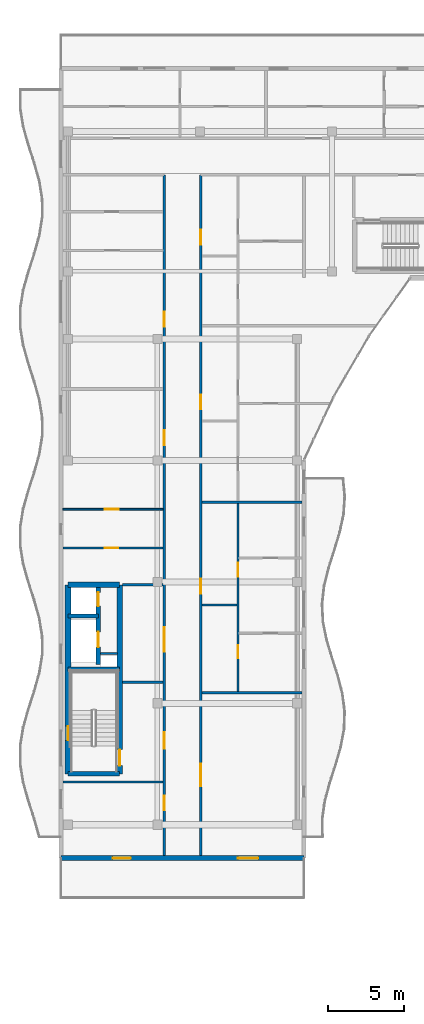
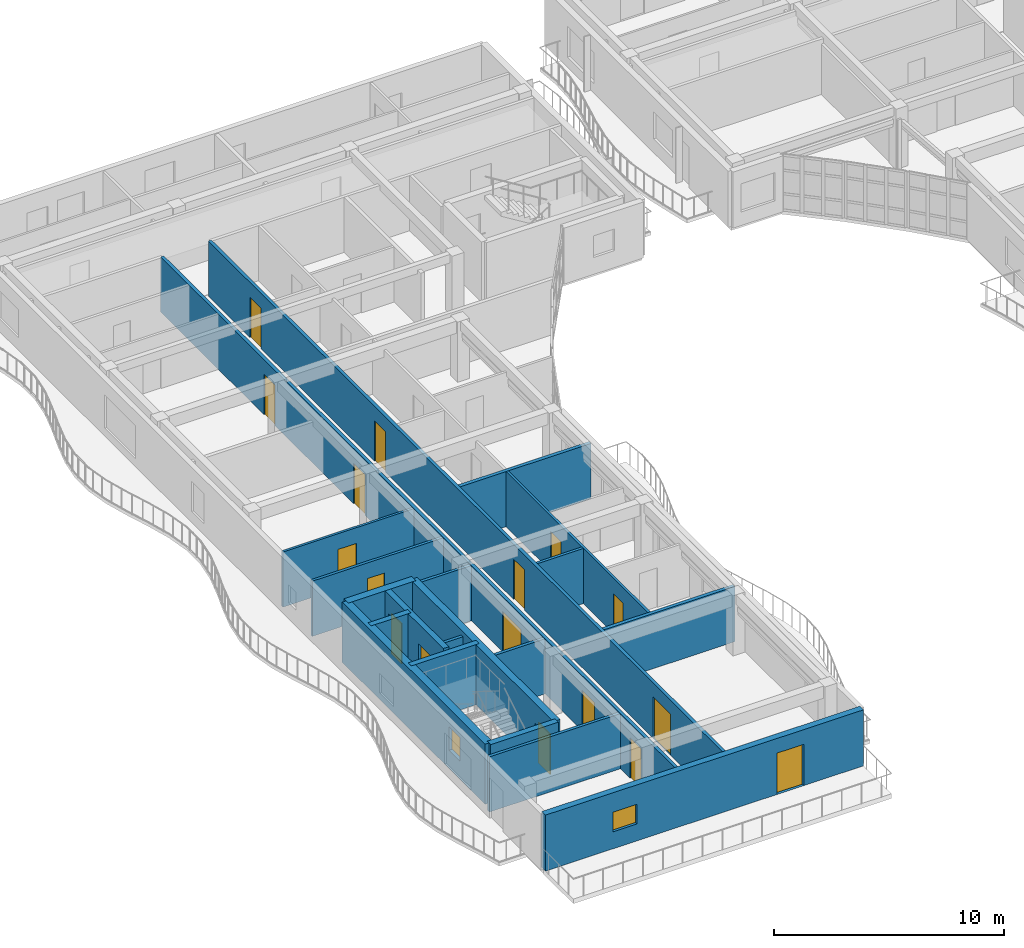
# One storey, part 29 of 71: 20 walls, 17 doors, 2 windows, 19 openings.
"""IFC4 building model written with IfcOpenShell, lengths in metres."""

from ifc_helpers import new_model, si_unit, direction, frame, frame_2d, origin, place, context, subcontext, project, spatial, rectangle, extrude, material, layer, layer_set, type_object, element, fill, save


model = new_model("IFC4")

# Units and contexts
model_context = context("Model", 3, precision=1e-05, world=origin(), true_north=direction((0.0, 1.0)))
body_context = subcontext(model_context, "Body", "Model", "MODEL_VIEW")
ifc_project = project(units=[si_unit("LENGTHUNIT", "METRE"), si_unit("AREAUNIT", "SQUARE_METRE"), si_unit("VOLUMEUNIT", "CUBIC_METRE"), si_unit("PLANEANGLEUNIT", "RADIAN"), si_unit("MASSUNIT", "GRAM", prefix="KILO")], contexts=[model_context])

# Site, building, storey
site_placement = place(None, origin())
site = spatial("IfcSite", under=ifc_project, at=site_placement, CompositionType="ELEMENT")
building_placement = place(site_placement, origin())
building = spatial("IfcBuilding", under=site, at=building_placement, Name="Keldmere Railside Commons", CompositionType="ELEMENT")
storey_placement = place(building_placement, frame((0.0, 0.0, 20.159912109375)))
storey = spatial("IfcBuildingStorey", under=building, at=storey_placement, Name="L06", CompositionType="ELEMENT", Elevation=20.159912109375)

# Walls
ifc_material_1 = material(Name="Acoustic Gypsum Board Partition", Category="gypsum")
ifc_layer_1 = layer(ifc_material_1, 0.179931640625, Name="Acoustic Demising Partition 180")
ifc_layer_set_1 = layer_set([ifc_layer_1], Name="Acoustic Gypsum Board Partition")
wall_type_1 = type_object("IfcWallType", Name="Acoustic Demising Partition 180", PredefinedType="PARTITIONING", material=ifc_layer_set_1)
for number, where, z_axis, x_axis, name in (
    (1, (17.280029296875, 72.699951171875, 0.0), (0.0, 0.0, 1.0), (1.0, 0.0, 0.0), "IW-1 IW-L06-0416"),
    (2, (17.280029296875, 85.239990234375, 0.0), (0.0, 0.0, 1.0), (1.0, 0.0, 0.0), "IW-1 IW-L06-0417"),
):
    element("IfcWall", number, at=place(storey_placement, frame(where, z_axis=z_axis, x_axis=x_axis)), inside=storey, type_object=wall_type_1, Name=name, PredefinedType="PARTITIONING", context=body_context, shape_type="SweptSolid", body=[
        extrude(rectangle(XDim=6.590087890625, YDim=0.179931640625, at=frame_2d((3.294921875, 0.0))), origin(), (0.0, 0.0, 1.0), 2.93505859375),
    ])

# Wall, openings, doors
ifc_layer_2 = layer(ifc_material_1, 0.1201171875, Name="Apartment Interior Partition 120")
ifc_layer_set_2 = layer_set([ifc_layer_2], Name="Acoustic Gypsum Board Partition")
wall_type_2 = type_object("IfcWallType", Name="Apartment Interior Partition 120", PredefinedType="PARTITIONING", material=ifc_layer_set_2)
wall_1_placement = place(storey_placement, frame((19.659912109375, 72.7900390625, 0.0), z_axis=(0.0, 0.0, 1.0), x_axis=(0.0, 1.0, 0.0)))
wall_1 = element("IfcWall", 3, at=wall_1_placement, inside=storey, type_object=wall_type_2, Name="IW-4 IW-L06-0419", PredefinedType="PARTITIONING", context=body_context, shape_type="SweptSolid", body=[
    extrude(rectangle(XDim=12.35986328125, YDim=0.1201171875, at=frame_2d((6.179931640625, 0.0))), origin(), (0.0, 0.0, 1.0), 2.93505859375),
])
opening_1_placement = place(wall_1_placement, frame((2.162109375, 0.0, 0.0)))
opening_1 = element("IfcOpeningElement", 4, at=opening_1_placement, cuts=wall_1, Name="Opening ID-04", PredefinedType="OPENING", context=body_context, shape_type="SweptSolid", body=[
    extrude(rectangle(XDim=0.860107421875, YDim=2.10009765625, at=frame_2d((0.43017578125, 1.050048828125))), frame((0.0, 0.070068359375, 0.0), z_axis=(0.0, -1.0, 0.0), x_axis=(1.0, 0.0, 0.0)), (0.0, 0.0, 1.0), 0.14013671875),
])
opening_2_placement = place(wall_1_placement, frame((7.5576171875, 0.0, 0.0)))
opening_2 = element("IfcOpeningElement", 5, at=opening_2_placement, cuts=wall_1, Name="Opening ID-03", PredefinedType="OPENING", context=body_context, shape_type="SweptSolid", body=[
    extrude(rectangle(XDim=0.919921875, YDim=2.10009765625, at=frame_2d((0.4599609375, 1.050048828125))), frame((0.0, 0.070068359375, 0.0), z_axis=(0.0, -1.0, 0.0), x_axis=(1.0, 0.0, 0.0)), (0.0, 0.0, 1.0), 0.14013671875),
])
ifc_material_2 = material(Name="Engineered Oak Timber", Category="wood")
door_type_1 = type_object("IfcDoorType", Name="Apartment Bathroom Door 860x2100", OperationType="NOTDEFINED", PredefinedType="DOOR", material=ifc_material_2)
door_1_placement = place(opening_1_placement, origin())
door_1 = element("IfcDoor", 6, at=door_1_placement, inside=storey, type_object=door_type_1, Name="ID-04 IDR-L06-0317", OperationType="SINGLE_SWING_LEFT", OverallHeight=2.10009765625, OverallWidth=0.860107421875, PredefinedType="DOOR", context=body_context, shape_type="SweptSolid", body=[
    extrude(rectangle(XDim=0.860107421875, YDim=2.10009765625, at=frame_2d((0.43017578125, 1.050048828125))), frame((0.0, 0.02490234375, 0.0), z_axis=(0.0, -1.0, 0.0), x_axis=(1.0, 0.0, 0.0)), (0.0, 0.0, 1.0), 0.050048828125),
])
fill(opening_1, door_1)
door_type_2 = type_object("IfcDoorType", Name="Kitchen Pocket-Frame Swing Door 920x2100", OperationType="NOTDEFINED", PredefinedType="DOOR", material=ifc_material_2)
door_2_placement = place(opening_2_placement, origin())
door_2 = element("IfcDoor", 7, at=door_2_placement, inside=storey, type_object=door_type_2, Name="ID-03 IDR-L06-0318", OperationType="SINGLE_SWING_RIGHT", OverallHeight=2.10009765625, OverallWidth=0.919921875, PredefinedType="DOOR", context=body_context, shape_type="SweptSolid", body=[
    extrude(rectangle(XDim=0.919921875, YDim=2.10009765625, at=frame_2d((0.4599609375, 1.050048828125))), frame((0.0, 0.02490234375, 0.0), z_axis=(0.0, -1.0, 0.0), x_axis=(1.0, 0.0, 0.0)), (0.0, 0.0, 1.0), 0.050048828125),
])
fill(opening_2, door_2)

# Wall, opening, door
wall_2_placement = place(storey_placement, frame((8.1298828125, 84.780029296875, 0.0), z_axis=(0.0, 0.0, 1.0), x_axis=(1.0, 0.0, 0.0)))
wall_2 = element("IfcWall", 8, at=wall_2_placement, inside=storey, type_object=wall_type_2, Name="IW-4 IW-L06-0438", PredefinedType="PARTITIONING", context=body_context, shape_type="SweptSolid", body=[
    extrude(rectangle(XDim=6.590087890625, YDim=0.1201171875, at=frame_2d((3.294921875, 0.0))), origin(), (0.0, 0.0, 1.0), 2.93505859375),
])
opening_3_placement = place(wall_2_placement, frame((2.767822265625, 0.0, 0.0)))
opening_3 = element("IfcOpeningElement", 9, at=opening_3_placement, cuts=wall_2, Name="Opening ID-03", PredefinedType="OPENING", context=body_context, shape_type="SweptSolid", body=[
    extrude(rectangle(XDim=0.919921875, YDim=2.10009765625, at=frame_2d((0.4599609375, 1.050048828125))), frame((0.0, 0.070068359375, 0.0), z_axis=(0.0, -1.0, 0.0), x_axis=(1.0, 0.0, 0.0)), (0.0, 0.0, 1.0), 0.14013671875),
])
door_3_placement = place(opening_3_placement, origin())
door_3 = element("IfcDoor", 10, at=door_3_placement, inside=storey, type_object=door_type_2, Name="ID-03 IDR-L06-0341", OperationType="SINGLE_SWING_LEFT", OverallHeight=2.10009765625, OverallWidth=0.919921875, PredefinedType="DOOR", context=body_context, shape_type="SweptSolid", body=[
    extrude(rectangle(XDim=0.919921875, YDim=2.10009765625, at=frame_2d((0.4599609375, 1.050048828125))), frame((0.0, 0.02490234375, 0.0), z_axis=(0.0, -1.0, 0.0), x_axis=(1.0, 0.0, 0.0)), (0.0, 0.0, 1.0), 0.050048828125),
])
fill(opening_3, door_3)

# Walls
ifc_material_3 = material(Name="Concrete H-35 (C35/45)", Category="concrete")
ifc_layer_3 = layer(ifc_material_3, 0.280029296875, Name="Core Shear Wall 280")
ifc_layer_set_3 = layer_set([ifc_layer_3], Name="Concrete H-35 (C35/45)")
wall_type_3 = type_object("IfcWallType", Name="Core Shear Wall 280", PredefinedType="SHEAR", material=ifc_layer_set_3)
wall_3_placement = place(storey_placement, frame((8.4599609375, 74.239990234375, 0.0), z_axis=(0.0, 0.0, 1.0), x_axis=(1.0, 0.0, 0.0)))
element("IfcWall", 11, at=wall_3_placement, inside=storey, type_object=wall_type_3, Name="CSW-2 COREDM-L06-0103", PredefinedType="SHEAR", context=body_context, shape_type="SweptSolid", body=[
    extrude(rectangle(XDim=3.41015625, YDim=0.280029296875, at=frame_2d((1.705078125, 0.0))), origin(), (0.0, 0.0, 1.0), 3.2001953125),
])
wall_4_placement = place(storey_placement, frame((8.4599609375, 77.75, 0.0), z_axis=(0.0, 0.0, 1.0), x_axis=(1.0, 0.0, 0.0)))
element("IfcWall", 12, at=wall_4_placement, inside=storey, type_object=wall_type_3, Name="CSW-2 COREDL-L06-0104", PredefinedType="SHEAR", context=body_context, shape_type="SweptSolid", body=[
    extrude(rectangle(XDim=2.0, YDim=0.280029296875, at=frame_2d((1.0, 0.0))), origin(), (0.0, 0.0, 1.0), 3.2001953125),
])

# Wall, openings, doors
wall_5_placement = place(storey_placement, frame((10.4599609375, 74.550048828125, 0.0), z_axis=(0.0, 0.0, 1.0), x_axis=(0.0, 1.0, 0.0)))
wall_5 = element("IfcWall", 13, at=wall_5_placement, inside=storey, type_object=wall_type_3, Name="CSW-2 LSHD-L06-0105", PredefinedType="SHEAR", context=body_context, shape_type="SweptSolid", body=[
    extrude(rectangle(XDim=5.25, YDim=0.280029296875, at=frame_2d((2.625, 0.0))), origin(), (0.0, 0.0, 1.0), 3.2001953125),
])
opening_4_placement = place(wall_5_placement, frame((1.14990234375, 0.0, 0.0)))
opening_4 = element("IfcOpeningElement", 14, at=opening_4_placement, cuts=wall_5, Name="Opening LD-1", PredefinedType="OPENING", context=body_context, shape_type="SweptSolid", body=[
    extrude(rectangle(XDim=1.0, YDim=2.14990234375, at=frame_2d((0.5, 1.074951171875))), frame((0.0, 0.14990234375, 0.0), z_axis=(0.0, -1.0, 0.0), x_axis=(1.0, 0.0, 0.0)), (0.0, 0.0, 1.0), 0.300048828125),
])
opening_5_placement = place(wall_5_placement, frame((3.85009765625, 0.0, 0.0)))
opening_5 = element("IfcOpeningElement", 15, at=opening_5_placement, cuts=wall_5, Name="Opening LD-2", PredefinedType="OPENING", context=body_context, shape_type="SweptSolid", body=[
    extrude(rectangle(XDim=0.89990234375, YDim=2.14990234375, at=frame_2d((0.449951171875, 1.074951171875))), frame((0.0, 0.14990234375, 0.0), z_axis=(0.0, -1.0, 0.0), x_axis=(1.0, 0.0, 0.0)), (0.0, 0.0, 1.0), 0.300048828125),
])
ifc_material_4 = material(Name="Steel F-24 (S235)", Category="steel")
door_type_3 = type_object("IfcDoorType", Name="Firefighting Stretcher Lift Landing Door 1000x2150", OperationType="SLIDING_TO_LEFT", PredefinedType="DOOR", material=ifc_material_4)
door_4_placement = place(opening_4_placement, origin())
door_4 = element("IfcDoor", 16, at=door_4_placement, inside=storey, type_object=door_type_3, Name="LD-1 D L06", OperationType="SLIDING_TO_LEFT", OverallHeight=2.14990234375, OverallWidth=1.0, PredefinedType="DOOR", context=body_context, shape_type="SweptSolid", body=[
    extrude(rectangle(XDim=1.0, YDim=2.14990234375, at=frame_2d((0.5, 1.074951171875))), frame((0.0, 0.02490234375, 0.0), z_axis=(0.0, -1.0, 0.0), x_axis=(1.0, 0.0, 0.0)), (0.0, 0.0, 1.0), 0.050048828125),
])
fill(opening_4, door_4)
door_type_4 = type_object("IfcDoorType", Name="Passenger Lift Sliding Landing Door 900x2150", OperationType="SLIDING_TO_RIGHT", PredefinedType="DOOR", material=ifc_material_4)
door_5_placement = place(opening_5_placement, origin())
door_5 = element("IfcDoor", 17, at=door_5_placement, inside=storey, type_object=door_type_4, Name="LD-2 D L06", OperationType="SLIDING_TO_RIGHT", OverallHeight=2.14990234375, OverallWidth=0.89990234375, PredefinedType="DOOR", context=body_context, shape_type="SweptSolid", body=[
    extrude(rectangle(XDim=0.89990234375, YDim=2.14990234375, at=frame_2d((0.449951171875, 1.074951171875))), frame((0.0, 0.02490234375, 0.0), z_axis=(0.0, -1.0, 0.0), x_axis=(1.0, 0.0, 0.0)), (0.0, 0.0, 1.0), 0.050048828125),
])
fill(opening_5, door_5)

# Wall, opening, window
ifc_material_5 = material(Name="Concrete H-40 (C40/50)", Category="concrete")
ifc_layer_4 = layer(ifc_material_5, 0.3798828125, Name="Core Shear Wall 380")
ifc_layer_set_4 = layer_set([ifc_layer_4], Name="Concrete H-40 (C40/50)")
wall_type_4 = type_object("IfcWallType", Name="Core Shear Wall 380", PredefinedType="SHEAR", material=ifc_layer_set_4)
wall_6_placement = place(storey_placement, frame((8.4599609375, 67.35009765625, 0.0), z_axis=(0.0, 0.0, 1.0), x_axis=(0.0, 1.0, 0.0)))
wall_6 = element("IfcWall", 18, at=wall_6_placement, inside=storey, type_object=wall_type_4, Name="CW-CORE COREDW-L06-0099", PredefinedType="SHEAR", context=body_context, shape_type="SweptSolid", body=[
    extrude(rectangle(XDim=12.449951171875, YDim=0.3798828125, at=frame_2d((6.22509765625, 0.0))), origin(), (0.0, 0.0, 1.0), 3.2001953125),
])
opening_6_placement = place(wall_6_placement, frame((2.199951171875, 0.0, 0.969970703125)))
opening_6 = element("IfcOpeningElement", 19, at=opening_6_placement, cuts=wall_6, Name="Opening WN-17", PredefinedType="OPENING", context=body_context, shape_type="SweptSolid", body=[
    extrude(rectangle(XDim=0.949951171875, YDim=1.25, at=frame_2d((0.47509765625, 0.625))), frame((0.0, 0.199951171875, 0.0), z_axis=(0.0, -1.0, 0.0), x_axis=(1.0, 0.0, 0.0)), (0.0, 0.0, 1.0), 0.39990234375),
])
ifc_material_6 = material(Name="Low-E Insulated Double Glazing", Category="glass")
window_type_1 = type_object("IfcWindowType", Name="Stair Core Natural Smoke-Vent Window 950x1250", PartitioningType="SINGLE_PANEL", PredefinedType="WINDOW", material=ifc_material_6)
window_1_placement = place(opening_6_placement, origin())
window_1 = element("IfcWindow", 20, at=window_1_placement, inside=storey, type_object=window_type_1, Name="WN-17 WIN-L06-0013", OverallHeight=1.25, OverallWidth=0.949951171875, PartitioningType="SINGLE_PANEL", PredefinedType="WINDOW", context=body_context, shape_type="SweptSolid", body=[
    extrude(rectangle(XDim=0.949951171875, YDim=1.25, at=frame_2d((0.47509765625, 0.625))), frame((0.0, 0.030029296875, 0.0), z_axis=(0.0, -1.0, 0.0), x_axis=(1.0, 0.0, 0.0)), (0.0, 0.0, 1.0), 0.06005859375),
])
fill(opening_6, window_1)

# Wall
wall_7_placement = place(storey_placement, frame((8.4599609375, 79.800048828125, 0.0), z_axis=(0.0, 0.0, 1.0), x_axis=(1.0, 0.0, 0.0)))
element("IfcWall", 21, at=wall_7_placement, inside=storey, type_object=wall_type_4, Name="CW-CORE COREDN-L06-0100", PredefinedType="SHEAR", context=body_context, shape_type="SweptSolid", body=[
    extrude(rectangle(XDim=3.41015625, YDim=0.3798828125, at=frame_2d((1.705078125, 0.0))), origin(), (0.0, 0.0, 1.0), 3.2001953125),
])

# Wall, openings, doors
ifc_layer_5 = layer(ifc_material_1, 0.159912109375, Name="Corridor Fire Partition 160")
ifc_layer_set_5 = layer_set([ifc_layer_5], Name="Acoustic Gypsum Board Partition")
wall_type_5 = type_object("IfcWallType", Name="Corridor Fire Partition 160", PredefinedType="PARTITIONING", material=ifc_layer_set_5)
wall_8_placement = place(storey_placement, frame((14.800048828125, 61.9599609375, 0.0), z_axis=(0.0, 0.0, 1.0), x_axis=(0.0, 1.0, 0.0)))
wall_8 = element("IfcWall", 22, at=wall_8_placement, inside=storey, type_object=wall_type_5, Name="IW-2 IW-L06-0408", PredefinedType="PARTITIONING", context=body_context, shape_type="SweptSolid", body=[
    extrude(rectangle(XDim=44.840087890625, YDim=0.159912109375, at=frame_2d((22.419921875, 0.0))), origin(), (0.0, 0.0, 1.0), 2.93505859375),
])
opening_7_placement = place(wall_8_placement, frame((7.0400390625, 0.0, 0.0)))
opening_7 = element("IfcOpeningElement", 23, at=opening_7_placement, cuts=wall_8, Name="Opening FD-2", PredefinedType="OPENING", context=body_context, shape_type="SweptSolid", body=[
    extrude(rectangle(XDim=1.10009765625, YDim=2.14990234375, at=frame_2d((0.550048828125, 1.074951171875))), frame((0.0, 0.08984375, 0.0), z_axis=(0.0, -1.0, 0.0), x_axis=(1.0, 0.0, 0.0)), (0.0, 0.0, 1.0), 0.179931640625),
])
opening_8_placement = place(wall_8_placement, frame((13.43994140625, 0.0, 0.0)))
opening_8 = element("IfcOpeningElement", 24, at=opening_8_placement, cuts=wall_8, Name="Opening FD-4", PredefinedType="OPENING", context=body_context, shape_type="SweptSolid", body=[
    extrude(rectangle(XDim=1.60009765625, YDim=2.14990234375, at=frame_2d((0.800048828125, 1.074951171875))), frame((0.0, 0.08984375, 0.0), z_axis=(0.0, -1.0, 0.0), x_axis=(1.0, 0.0, 0.0)), (0.0, 0.0, 1.0), 0.179931640625),
])
opening_9_placement = place(wall_8_placement, frame((3.0, 0.0, 0.0)))
opening_9 = element("IfcOpeningElement", 25, at=opening_9_placement, cuts=wall_8, Name="Opening ID-08", PredefinedType="OPENING", context=body_context, shape_type="SweptSolid", body=[
    extrude(rectangle(XDim=0.9599609375, YDim=2.14990234375, at=frame_2d((0.47998046875, 1.074951171875))), frame((0.0, 0.08984375, 0.0), z_axis=(0.0, -1.0, 0.0), x_axis=(1.0, 0.0, 0.0)), (0.0, 0.0, 1.0), 0.179931640625),
])
opening_10_placement = place(wall_8_placement, frame((27.044921875, 0.0, 0.0)))
opening_10 = element("IfcOpeningElement", 26, at=opening_10_placement, cuts=wall_8, Name="Opening FD-7", PredefinedType="OPENING", context=body_context, shape_type="SweptSolid", body=[
    extrude(rectangle(XDim=0.97998046875, YDim=2.14990234375, at=frame_2d((0.489990234375, 1.074951171875))), frame((0.0, 0.08984375, 0.0), z_axis=(0.0, -1.0, 0.0), x_axis=(1.0, 0.0, 0.0)), (0.0, 0.0, 1.0), 0.179931640625),
])
opening_11_placement = place(wall_8_placement, frame((34.85498046875, 0.0, 0.0)))
opening_11 = element("IfcOpeningElement", 27, at=opening_11_placement, cuts=wall_8, Name="Opening FD-7", PredefinedType="OPENING", context=body_context, shape_type="SweptSolid", body=[
    extrude(rectangle(XDim=0.97998046875, YDim=2.14990234375, at=frame_2d((0.489990234375, 1.074951171875))), frame((0.0, 0.08984375, 0.0), z_axis=(0.0, -1.0, 0.0), x_axis=(1.0, 0.0, 0.0)), (0.0, 0.0, 1.0), 0.179931640625),
])
door_type_5 = type_object("IfcDoorType", Name="Apartment Entrance Acoustic Fire Door 980x2150", OperationType="NOTDEFINED", PredefinedType="DOOR", material=ifc_material_2)
door_6_placement = place(opening_10_placement, origin())
door_6 = element("IfcDoor", 28, at=door_6_placement, inside=storey, type_object=door_type_5, Name="FD-7 IDR-L06-0342", OperationType="SINGLE_SWING_RIGHT", OverallHeight=2.14990234375, OverallWidth=0.97998046875, PredefinedType="DOOR", context=body_context, shape_type="SweptSolid", body=[
    extrude(rectangle(XDim=0.97998046875, YDim=2.14990234375, at=frame_2d((0.489990234375, 1.074951171875))), frame((0.0, 0.02490234375, 0.0), z_axis=(0.0, -1.0, 0.0), x_axis=(1.0, 0.0, 0.0)), (0.0, 0.0, 1.0), 0.050048828125),
])
fill(opening_10, door_6)
door_7_placement = place(opening_11_placement, origin())
door_7 = element("IfcDoor", 29, at=door_7_placement, inside=storey, type_object=door_type_5, Name="FD-7 IDR-L06-0345", OperationType="SINGLE_SWING_LEFT", OverallHeight=2.14990234375, OverallWidth=0.97998046875, PredefinedType="DOOR", context=body_context, shape_type="SweptSolid", body=[
    extrude(rectangle(XDim=0.97998046875, YDim=2.14990234375, at=frame_2d((0.489990234375, 1.074951171875))), frame((0.0, 0.02490234375, 0.0), z_axis=(0.0, -1.0, 0.0), x_axis=(1.0, 0.0, 0.0)), (0.0, 0.0, 1.0), 0.050048828125),
])
fill(opening_11, door_7)
door_type_6 = type_object("IfcDoorType", Name="Corridor Cross-Compartment Double Fire Door 1600x2150", OperationType="DOUBLE_DOOR_SINGLE_SWING", PredefinedType="DOOR", material=ifc_material_4)
door_8_placement = place(opening_8_placement, origin())
door_8 = element("IfcDoor", 30, at=door_8_placement, inside=storey, type_object=door_type_6, Name="FD-4 IDR-L06-0315", OperationType="DOUBLE_DOOR_SINGLE_SWING", OverallHeight=2.14990234375, OverallWidth=1.60009765625, PredefinedType="DOOR", context=body_context, shape_type="SweptSolid", body=[
    extrude(rectangle(XDim=1.60009765625, YDim=2.14990234375, at=frame_2d((0.800048828125, 1.074951171875))), frame((0.0, 0.02490234375, 0.0), z_axis=(0.0, -1.0, 0.0), x_axis=(1.0, 0.0, 0.0)), (0.0, 0.0, 1.0), 0.050048828125),
])
fill(opening_8, door_8)
door_type_7 = type_object("IfcDoorType", Name="Firefighting Lobby Fire Door 1100x2150", OperationType="NOTDEFINED", PredefinedType="DOOR", material=ifc_material_4)
door_9_placement = place(opening_7_placement, origin())
door_9 = element("IfcDoor", 31, at=door_9_placement, inside=storey, type_object=door_type_7, Name="FD-2 IDR-L06-0314", OperationType="SINGLE_SWING_RIGHT", OverallHeight=2.14990234375, OverallWidth=1.10009765625, PredefinedType="DOOR", context=body_context, shape_type="SweptSolid", body=[
    extrude(rectangle(XDim=1.10009765625, YDim=2.14990234375, at=frame_2d((0.550048828125, 1.074951171875))), frame((0.0, 0.02490234375, 0.0), z_axis=(0.0, -1.0, 0.0), x_axis=(1.0, 0.0, 0.0)), (0.0, 0.0, 1.0), 0.050048828125),
])
fill(opening_7, door_9)
door_type_8 = type_object("IfcDoorType", Name="Study & Meeting Room Door 960x2150", OperationType="NOTDEFINED", PredefinedType="DOOR", material=ifc_material_2)
door_10_placement = place(opening_9_placement, origin())
door_10 = element("IfcDoor", 32, at=door_10_placement, inside=storey, type_object=door_type_8, Name="ID-08 IDR-L06-0339", OperationType="SINGLE_SWING_LEFT", OverallHeight=2.14990234375, OverallWidth=0.9599609375, PredefinedType="DOOR", context=body_context, shape_type="SweptSolid", body=[
    extrude(rectangle(XDim=0.9599609375, YDim=2.14990234375, at=frame_2d((0.47998046875, 1.074951171875))), frame((0.0, 0.02490234375, 0.0), z_axis=(0.0, -1.0, 0.0), x_axis=(1.0, 0.0, 0.0)), (0.0, 0.0, 1.0), 0.050048828125),
])
fill(opening_9, door_10)

wall_9_placement = place(storey_placement, frame((17.199951171875, 61.9599609375, 0.0), z_axis=(0.0, 0.0, 1.0), x_axis=(0.0, 1.0, 0.0)))
wall_9 = element("IfcWall", 33, at=wall_9_placement, inside=storey, type_object=wall_type_5, Name="IW-2 IW-L06-0409", PredefinedType="PARTITIONING", context=body_context, shape_type="SweptSolid", body=[
    extrude(rectangle(XDim=44.840087890625, YDim=0.159912109375, at=frame_2d((22.419921875, 0.0))), origin(), (0.0, 0.0, 1.0), 2.93505859375),
])
opening_12_placement = place(wall_9_placement, frame((4.574951171875, 0.0, 0.0)))
opening_12 = element("IfcOpeningElement", 34, at=opening_12_placement, cuts=wall_9, Name="Opening ID-07", PredefinedType="OPENING", context=body_context, shape_type="SweptSolid", body=[
    extrude(rectangle(XDim=1.5, YDim=2.199951171875, at=frame_2d((0.75, 1.10009765625))), frame((0.0, 0.08984375, 0.0), z_axis=(0.0, -1.0, 0.0), x_axis=(1.0, 0.0, 0.0)), (0.0, 0.0, 1.0), 0.179931640625),
])
opening_13_placement = place(wall_9_placement, frame((17.27001953125, 0.0, 0.0)))
opening_13 = element("IfcOpeningElement", 35, at=opening_13_placement, cuts=wall_9, Name="Opening FD-7", PredefinedType="OPENING", context=body_context, shape_type="SweptSolid", body=[
    extrude(rectangle(XDim=0.97998046875, YDim=2.14990234375, at=frame_2d((0.489990234375, 1.074951171875))), frame((0.0, 0.08984375, 0.0), z_axis=(0.0, -1.0, 0.0), x_axis=(1.0, 0.0, 0.0)), (0.0, 0.0, 1.0), 0.179931640625),
])
opening_14_placement = place(wall_9_placement, frame((29.389892578125, 0.0, 0.0)))
opening_14 = element("IfcOpeningElement", 36, at=opening_14_placement, cuts=wall_9, Name="Opening FD-7", PredefinedType="OPENING", context=body_context, shape_type="SweptSolid", body=[
    extrude(rectangle(XDim=0.97998046875, YDim=2.14990234375, at=frame_2d((0.489990234375, 1.074951171875))), frame((0.0, 0.08984375, 0.0), z_axis=(0.0, -1.0, 0.0), x_axis=(1.0, 0.0, 0.0)), (0.0, 0.0, 1.0), 0.179931640625),
])
opening_15_placement = place(wall_9_placement, frame((40.239990234375, 0.0, 0.0)))
opening_15 = element("IfcOpeningElement", 37, at=opening_15_placement, cuts=wall_9, Name="Opening FD-7", PredefinedType="OPENING", context=body_context, shape_type="SweptSolid", body=[
    extrude(rectangle(XDim=0.97998046875, YDim=2.14990234375, at=frame_2d((0.489990234375, 1.074951171875))), frame((0.0, 0.08984375, 0.0), z_axis=(0.0, -1.0, 0.0), x_axis=(1.0, 0.0, 0.0)), (0.0, 0.0, 1.0), 0.179931640625),
])
door_11_placement = place(opening_13_placement, origin())
door_11 = element("IfcDoor", 38, at=door_11_placement, inside=storey, type_object=door_type_5, Name="FD-7 IDR-L06-0319", OperationType="SINGLE_SWING_LEFT", OverallHeight=2.14990234375, OverallWidth=0.97998046875, PredefinedType="DOOR", context=body_context, shape_type="SweptSolid", body=[
    extrude(rectangle(XDim=0.97998046875, YDim=2.14990234375, at=frame_2d((0.489990234375, 1.074951171875))), frame((0.0, 0.02490234375, 0.0), z_axis=(0.0, -1.0, 0.0), x_axis=(1.0, 0.0, 0.0)), (0.0, 0.0, 1.0), 0.050048828125),
])
fill(opening_13, door_11)
door_12_placement = place(opening_14_placement, origin())
door_12 = element("IfcDoor", 39, at=door_12_placement, inside=storey, type_object=door_type_5, Name="FD-7 IDR-L06-0324", OperationType="SINGLE_SWING_RIGHT", OverallHeight=2.14990234375, OverallWidth=0.97998046875, PredefinedType="DOOR", context=body_context, shape_type="SweptSolid", body=[
    extrude(rectangle(XDim=0.97998046875, YDim=2.14990234375, at=frame_2d((0.489990234375, 1.074951171875))), frame((0.0, 0.02490234375, 0.0), z_axis=(0.0, -1.0, 0.0), x_axis=(1.0, 0.0, 0.0)), (0.0, 0.0, 1.0), 0.050048828125),
])
fill(opening_14, door_12)
door_13_placement = place(opening_15_placement, origin())
door_13 = element("IfcDoor", 40, at=door_13_placement, inside=storey, type_object=door_type_5, Name="FD-7 IDR-L06-0328", OperationType="SINGLE_SWING_RIGHT", OverallHeight=2.14990234375, OverallWidth=0.97998046875, PredefinedType="DOOR", context=body_context, shape_type="SweptSolid", body=[
    extrude(rectangle(XDim=0.97998046875, YDim=2.14990234375, at=frame_2d((0.489990234375, 1.074951171875))), frame((0.0, 0.02490234375, 0.0), z_axis=(0.0, -1.0, 0.0), x_axis=(1.0, 0.0, 0.0)), (0.0, 0.0, 1.0), 0.050048828125),
])
fill(opening_15, door_13)
door_type_9 = type_object("IfcDoorType", Name="Resident Lounge Double Door 1500x2200", OperationType="DOUBLE_DOOR_SINGLE_SWING", PredefinedType="DOOR", material=ifc_material_2)
door_14_placement = place(opening_12_placement, origin())
door_14 = element("IfcDoor", 41, at=door_14_placement, inside=storey, type_object=door_type_9, Name="ID-07 IDR-L06-0316", OperationType="DOUBLE_DOOR_SINGLE_SWING", OverallHeight=2.199951171875, OverallWidth=1.5, PredefinedType="DOOR", context=body_context, shape_type="SweptSolid", body=[
    extrude(rectangle(XDim=1.5, YDim=2.199951171875, at=frame_2d((0.75, 1.10009765625))), frame((0.0, 0.02490234375, 0.0), z_axis=(0.0, -1.0, 0.0), x_axis=(1.0, 0.0, 0.0)), (0.0, 0.0, 1.0), 0.050048828125),
])
fill(opening_12, door_14)

# Wall, openings, window, door
ifc_layer_6 = layer(ifc_material_3, 0.320068359375, Name="Exterior Shear Wall 320")
ifc_layer_set_6 = layer_set([ifc_layer_6], Name="Concrete H-35 (C35/45)")
wall_type_6 = type_object("IfcWallType", Name="Exterior Shear Wall 320", PredefinedType="SHEAR", material=ifc_layer_set_6)
wall_10_placement = place(storey_placement, frame((24.0, 61.800048828125, 0.0), z_axis=(0.0, 0.0, 1.0), x_axis=(-1.0, 0.0, 0.0)))
wall_10 = element("IfcWall", 42, at=wall_10_placement, inside=storey, type_object=wall_type_6, Name="ESW-2 EXTD-L06-0164", PredefinedType="SHEAR", context=body_context, shape_type="SweptSolid", body=[
    extrude(rectangle(XDim=16.0, YDim=0.320068359375, at=frame_2d((8.0, 0.0))), origin(), (0.0, 0.0, 1.0), 2.97998046875),
])
opening_16_placement = place(wall_10_placement, frame((3.0, 0.0, 0.0)))
opening_16 = element("IfcOpeningElement", 43, at=opening_16_placement, cuts=wall_10, Name="Opening BD-03", PredefinedType="OPENING", context=body_context, shape_type="SweptSolid", body=[
    extrude(rectangle(XDim=1.35009765625, YDim=2.199951171875, at=frame_2d((0.675048828125, 1.10009765625))), frame((0.0, 0.169921875, 0.0), z_axis=(0.0, -1.0, 0.0), x_axis=(1.0, 0.0, 0.0)), (0.0, 0.0, 1.0), 0.340087890625),
])
opening_17_placement = place(wall_10_placement, frame((11.39990234375, 0.0, 0.89990234375)))
opening_17 = element("IfcOpeningElement", 44, at=opening_17_placement, cuts=wall_10, Name="Opening WN-14", PredefinedType="OPENING", context=body_context, shape_type="SweptSolid", body=[
    extrude(rectangle(XDim=1.199951171875, YDim=1.050048828125, at=frame_2d((0.60009765625, 0.52490234375))), frame((0.0, 0.169921875, 0.0), z_axis=(0.0, -1.0, 0.0), x_axis=(1.0, 0.0, 0.0)), (0.0, 0.0, 1.0), 0.340087890625),
])
window_type_2 = type_object("IfcWindowType", Name="Apartment Kitchen Ribbon Window 1200x1050", PartitioningType="SINGLE_PANEL", PredefinedType="WINDOW", material=ifc_material_6)
window_2_placement = place(opening_17_placement, origin())
window_2 = element("IfcWindow", 45, at=window_2_placement, inside=storey, type_object=window_type_2, Name="WN-14 WIN-L06-0117", OverallHeight=1.050048828125, OverallWidth=1.199951171875, PartitioningType="SINGLE_PANEL", PredefinedType="WINDOW", context=body_context, shape_type="SweptSolid", body=[
    extrude(rectangle(XDim=1.199951171875, YDim=1.050048828125, at=frame_2d((0.60009765625, 0.52490234375))), frame((0.0, 0.030029296875, 0.0), z_axis=(0.0, -1.0, 0.0), x_axis=(1.0, 0.0, 0.0)), (0.0, 0.0, 1.0), 0.06005859375),
])
fill(opening_17, window_2)
ifc_material_7 = material(Name="Thermally Broken Aluminium", Category="aluminium")
door_type_10 = type_object("IfcDoorType", Name="Planted Roof-Terrace Lounge Door 1350x2200", OperationType="NOTDEFINED", PredefinedType="DOOR", material=ifc_material_7)
door_15_placement = place(opening_16_placement, origin())
door_15 = element("IfcDoor", 46, at=door_15_placement, inside=storey, type_object=door_type_10, Name="BD-03 DR-L06-0037", OperationType="SINGLE_SWING_LEFT", OverallHeight=2.199951171875, OverallWidth=1.35009765625, PredefinedType="DOOR", context=body_context, shape_type="SweptSolid", body=[
    extrude(rectangle(XDim=1.35009765625, YDim=2.199951171875, at=frame_2d((0.675048828125, 1.10009765625))), frame((0.0, 0.02490234375, 0.0), z_axis=(0.0, -1.0, 0.0), x_axis=(1.0, 0.0, 0.0)), (0.0, 0.0, 1.0), 0.050048828125),
])
fill(opening_16, door_15)

# Wall
ifc_layer_7 = layer(ifc_material_3, 0.300048828125, Name="Interior Shear Wall 300")
ifc_layer_set_7 = layer_set([ifc_layer_7], Name="Concrete H-35 (C35/45)")
wall_type_7 = type_object("IfcWallType", Name="Interior Shear Wall 300", PredefinedType="SHEAR", material=ifc_layer_set_7)
wall_11_placement = place(storey_placement, frame((11.8701171875, 67.35009765625, 0.0), z_axis=(0.0, 0.0, 1.0), x_axis=(-1.0, 0.0, 0.0)))
element("IfcWall", 47, at=wall_11_placement, inside=storey, type_object=wall_type_7, Name="ISW-2 COREDS-L06-0102", PredefinedType="SHEAR", context=body_context, shape_type="SweptSolid", body=[
    extrude(rectangle(XDim=3.41015625, YDim=0.300048828125, at=frame_2d((1.705078125, 0.0))), origin(), (0.0, 0.0, 1.0), 3.2001953125),
])

# Wall, opening, door
ifc_layer_8 = layer(ifc_material_3, 0.340087890625, Name="Interior Shear Wall 340")
ifc_layer_set_8 = layer_set([ifc_layer_8], Name="Concrete H-35 (C35/45)")
wall_type_8 = type_object("IfcWallType", Name="Interior Shear Wall 340", PredefinedType="SHEAR", material=ifc_layer_set_8)
wall_12_placement = place(storey_placement, frame((11.8701171875, 79.800048828125, 0.0), z_axis=(0.0, 0.0, 1.0), x_axis=(0.0, -1.0, 0.0)))
wall_12 = element("IfcWall", 48, at=wall_12_placement, inside=storey, type_object=wall_type_8, Name="ISW-1 COREDE-L06-0101", PredefinedType="SHEAR", context=body_context, shape_type="SweptSolid", body=[
    extrude(rectangle(XDim=12.449951171875, YDim=0.340087890625, at=frame_2d((6.22509765625, 0.0))), origin(), (0.0, 0.0, 1.0), 3.2001953125),
])
opening_18_placement = place(wall_12_placement, frame((10.85009765625, 0.0, 0.0)))
opening_18 = element("IfcOpeningElement", 49, at=opening_18_placement, cuts=wall_12, Name="Opening FD-1", PredefinedType="OPENING", context=body_context, shape_type="SweptSolid", body=[
    extrude(rectangle(XDim=1.050048828125, YDim=2.14990234375, at=frame_2d((0.52490234375, 1.074951171875))), frame((0.0, 0.179931640625, 0.0), z_axis=(0.0, -1.0, 0.0), x_axis=(1.0, 0.0, 0.0)), (0.0, 0.0, 1.0), 0.360107421875),
])
door_type_11 = type_object("IfcDoorType", Name="Stair Core Fire Door 1050x2150", OperationType="NOTDEFINED", PredefinedType="DOOR", material=ifc_material_4)
door_16_placement = place(opening_18_placement, origin())
door_16 = element("IfcDoor", 50, at=door_16_placement, inside=storey, type_object=door_type_11, Name="FD-1 D1 L06", OperationType="SINGLE_SWING_LEFT", OverallHeight=2.14990234375, OverallWidth=1.050048828125, PredefinedType="DOOR", context=body_context, shape_type="SweptSolid", body=[
    extrude(rectangle(XDim=1.050048828125, YDim=2.14990234375, at=frame_2d((0.52490234375, 1.074951171875))), frame((0.0, 0.02490234375, 0.0), z_axis=(0.0, -1.0, 0.0), x_axis=(1.0, 0.0, 0.0)), (0.0, 0.0, 1.0), 0.050048828125),
])
fill(opening_18, door_16)

# Walls
ifc_layer_9 = layer(ifc_material_1, 0.14990234375, Name="Lobby Rated Partition 150")
ifc_layer_set_9 = layer_set([ifc_layer_9], Name="Acoustic Gypsum Board Partition")
wall_type_9 = type_object("IfcWallType", Name="Lobby Rated Partition 150", PredefinedType="PARTITIONING", material=ifc_layer_set_9)
wall_13_placement = place(storey_placement, frame((10.60009765625, 75.280029296875, 0.0), z_axis=(0.0, 0.0, 1.0), x_axis=(1.0, 0.0, 0.0)))
element("IfcWall", 51, at=wall_13_placement, inside=storey, type_object=wall_type_9, Name="IW-3 RSRND-L06-0106", PredefinedType="PARTITIONING", context=body_context, shape_type="SweptSolid", body=[
    extrude(rectangle(XDim=1.1298828125, YDim=0.14990234375, at=frame_2d((0.56494140625, 0.0))), origin(), (0.0, 0.0, 1.0), 2.9501953125),
])
wall_14_placement = place(storey_placement, frame((8.1298828125, 66.820068359375, 0.0), z_axis=(0.0, 0.0, 1.0), x_axis=(1.0, 0.0, 0.0)))
element("IfcWall", 52, at=wall_14_placement, inside=storey, type_object=wall_type_9, Name="IW-3 IW-L06-0405", PredefinedType="PARTITIONING", context=body_context, shape_type="SweptSolid", body=[
    extrude(rectangle(XDim=6.590087890625, YDim=0.14990234375, at=frame_2d((3.294921875, 0.0))), origin(), (0.0, 0.0, 1.0), 2.93505859375),
])
for number, where, z_axis, x_axis, name in (
    (53, (12.0400390625, 73.3798828125, 0.0), (0.0, 0.0, 1.0), (1.0, 0.0, 0.0), "IW-3 IW-L06-0406"),
    (54, (12.0400390625, 79.800048828125, 0.0), (0.0, 0.0, 1.0), (1.0, 0.0, 0.0), "IW-3 IW-L06-0407"),
):
    element("IfcWall", number, at=place(storey_placement, frame(where, z_axis=z_axis, x_axis=x_axis)), inside=storey, type_object=wall_type_9, Name=name, PredefinedType="PARTITIONING", context=body_context, shape_type="SweptSolid", body=[
        extrude(rectangle(XDim=2.679931640625, YDim=0.14990234375, at=frame_2d((1.33984375, 0.0))), origin(), (0.0, 0.0, 1.0), 2.93505859375),
    ])
ifc_layer_10 = layer(ifc_material_1, 0.139892578125, Name="Wet-Room Sanitary Partition 140")
ifc_layer_set_10 = layer_set([ifc_layer_10], Name="Acoustic Gypsum Board Partition")
wall_type_10 = type_object("IfcWallType", Name="Wet-Room Sanitary Partition 140", PredefinedType="PARTITIONING", material=ifc_layer_set_10)
wall_15_placement = place(storey_placement, frame((17.280029296875, 78.47998046875, 0.0), z_axis=(0.0, 0.0, 1.0), x_axis=(1.0, 0.0, 0.0)))
element("IfcWall", 55, at=wall_15_placement, inside=storey, type_object=wall_type_10, Name="IW-5 IW-L06-0420", PredefinedType="PARTITIONING", context=body_context, shape_type="SweptSolid", body=[
    extrude(rectangle(XDim=2.320068359375, YDim=0.139892578125, at=frame_2d((1.16015625, 0.0))), origin(), (0.0, 0.0, 1.0), 2.93505859375),
])

# Wall, opening, door
wall_16_placement = place(storey_placement, frame((8.1298828125, 82.22998046875, 0.0), z_axis=(0.0, 0.0, 1.0), x_axis=(1.0, 0.0, 0.0)))
wall_16 = element("IfcWall", 56, at=wall_16_placement, inside=storey, type_object=wall_type_10, Name="IW-5 IW-L06-0437", PredefinedType="PARTITIONING", context=body_context, shape_type="SweptSolid", body=[
    extrude(rectangle(XDim=6.590087890625, YDim=0.139892578125, at=frame_2d((3.294921875, 0.0))), origin(), (0.0, 0.0, 1.0), 2.93505859375),
])
opening_19_placement = place(wall_16_placement, frame((2.767822265625, 0.0, 0.0)))
opening_19 = element("IfcOpeningElement", 57, at=opening_19_placement, cuts=wall_16, Name="Opening ID-04", PredefinedType="OPENING", context=body_context, shape_type="SweptSolid", body=[
    extrude(rectangle(XDim=0.860107421875, YDim=2.10009765625, at=frame_2d((0.43017578125, 1.050048828125))), frame((0.0, 0.079833984375, 0.0), z_axis=(0.0, -1.0, 0.0), x_axis=(1.0, 0.0, 0.0)), (0.0, 0.0, 1.0), 0.159912109375),
])
door_17_placement = place(opening_19_placement, origin())
door_17 = element("IfcDoor", 58, at=door_17_placement, inside=storey, type_object=door_type_1, Name="ID-04 IDR-L06-0340", OperationType="SINGLE_SWING_RIGHT", OverallHeight=2.10009765625, OverallWidth=0.860107421875, PredefinedType="DOOR", context=body_context, shape_type="SweptSolid", body=[
    extrude(rectangle(XDim=0.860107421875, YDim=2.10009765625, at=frame_2d((0.43017578125, 1.050048828125))), frame((0.0, 0.02490234375, 0.0), z_axis=(0.0, -1.0, 0.0), x_axis=(1.0, 0.0, 0.0)), (0.0, 0.0, 1.0), 0.050048828125),
])
fill(opening_19, door_17)

save(model, "model.ifc")
